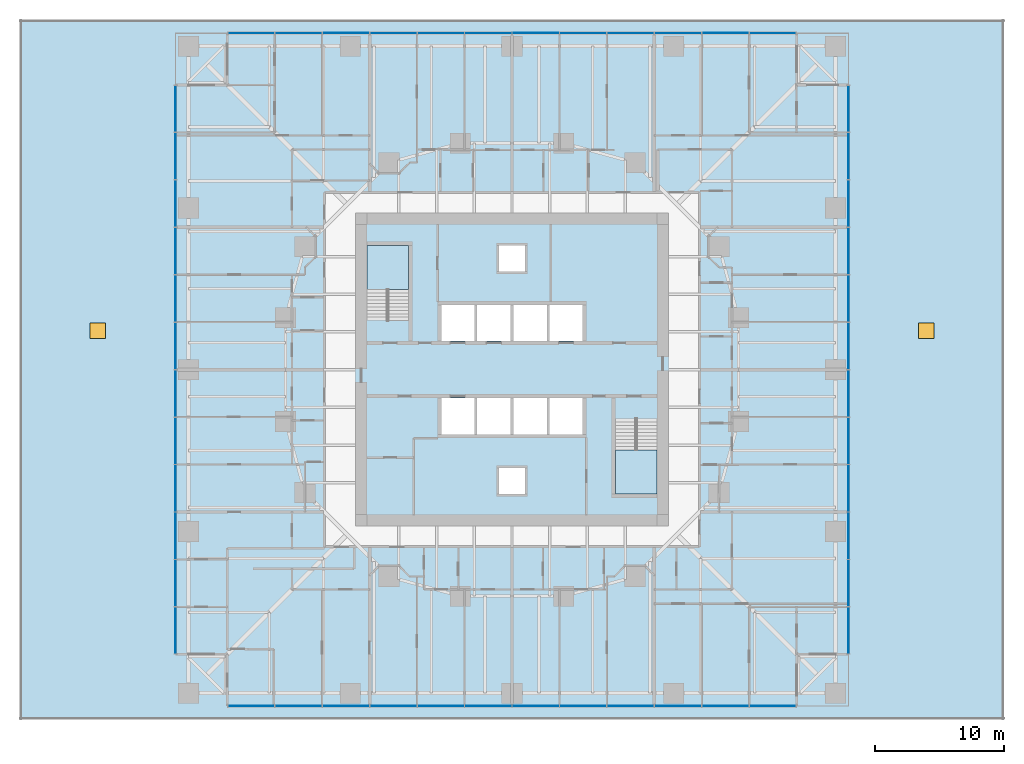
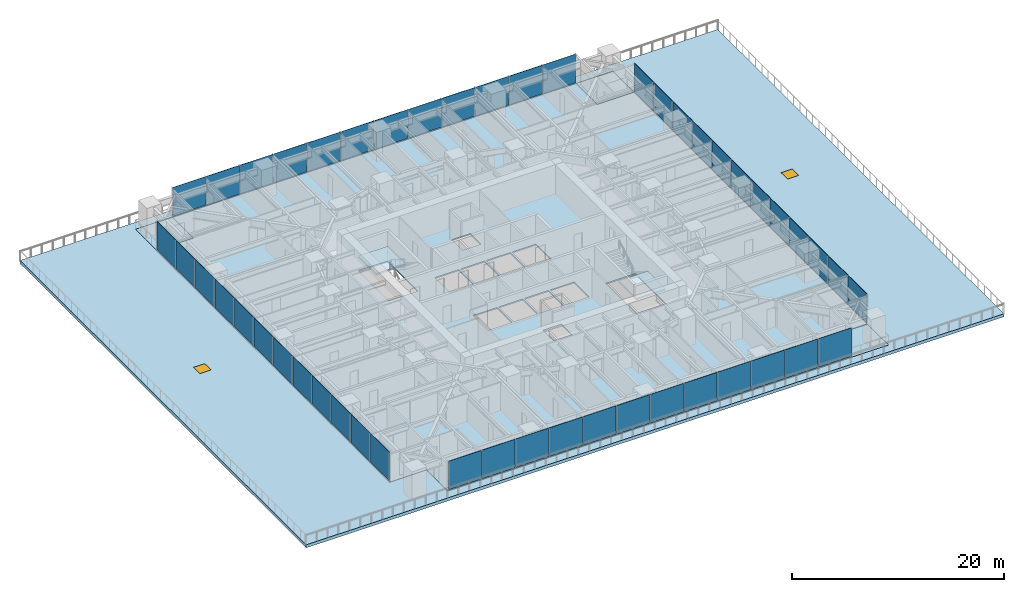
# One storey, part 6 of 15: 48 plates, 7 slabs, 2 windows, 2 openings, 6 elements without a shape of their own.
"""IFC4 building model written with IfcOpenShell, lengths in metres."""

from ifc_helpers import new_model, si_unit, direction, frame, origin, origin_2d, place, context, subcontext, project, spatial, polyline, rectangle, outline, extrude, material, layer, layer_set, type_object, element, fill, aggregate, save


model = new_model("IFC4")

# Units and contexts
model_context = context("Model", 3, precision=1e-05, world=origin(), true_north=direction((0.0, 1.0)))
body_context = subcontext(model_context, "Body", "Model", "MODEL_VIEW")
ifc_project = project(units=[si_unit("LENGTHUNIT", "METRE"), si_unit("AREAUNIT", "SQUARE_METRE"), si_unit("VOLUMEUNIT", "CUBIC_METRE"), si_unit("PLANEANGLEUNIT", "RADIAN"), si_unit("MASSUNIT", "GRAM", prefix="KILO")], contexts=[model_context])

# Site, building, storey
site_placement = place(None, origin())
site = spatial("IfcSite", under=ifc_project, at=site_placement, CompositionType="ELEMENT")
building_placement = place(site_placement, origin())
building = spatial("IfcBuilding", under=site, at=building_placement, Name="Torsade Residences", CompositionType="ELEMENT")
storey_placement = place(building_placement, frame((0.0, 0.0, 15.0)))
storey = spatial("IfcBuildingStorey", under=building, at=storey_placement, Name="L03", CompositionType="ELEMENT", Elevation=15.0)

# Slab
ifc_material_1 = material(Name="Concrete 40 MPa", Category="concrete")
ifc_layer_1 = layer(ifc_material_1, 0.14990234375)
ifc_layer_set_1 = layer_set([ifc_layer_1], Name="Concrete 40 MPa")
slab_type_1 = type_object("IfcSlabType", Name="COMPOSITE FLOOR SLAB 150", PredefinedType="FLOOR", material=ifc_layer_set_1)
slab_1_placement = place(storey_placement, frame((0.0, 0.0, -0.14990234375)))
element("IfcSlab", 1, at=slab_1_placement, inside=storey, type_object=slab_type_1, Name="Floor slab L03", PredefinedType="FLOOR", context=body_context, shape_type="SweptSolid", body=[
    extrude(outline(polyline([(18.0, 4.0), (62.0, 4.0), (62.0, 8.0), (66.0, 8.0), (66.0, 52.0), (62.0, 52.0), (62.0, 56.0), (18.0, 56.0), (18.0, 52.0), (14.0, 52.0), (14.0, 8.0), (18.0, 8.0), (18.0, 4.0)]), holes=[polyline([(51.199951171875, 20.39990234375), (51.199951171875, 26.1201171875), (48.0, 26.1201171875), (48.0, 20.39990234375), (51.199951171875, 20.39990234375)]), polyline([(45.5, 27.800048828125), (42.89990234375, 27.800048828125), (42.89990234375, 25.0), (45.5, 25.0), (45.5, 27.800048828125)]), polyline([(45.5, 32.199951171875), (45.5, 35.0), (42.89990234375, 35.0), (42.89990234375, 32.199951171875), (45.5, 32.199951171875)]), polyline([(42.699951171875, 25.0), (42.699951171875, 27.800048828125), (40.10009765625, 27.800048828125), (40.10009765625, 25.0), (42.699951171875, 25.0)]), polyline([(42.699951171875, 32.199951171875), (42.699951171875, 35.0), (40.10009765625, 35.0), (40.10009765625, 32.199951171875), (42.699951171875, 32.199951171875)]), polyline([(41.0, 22.39990234375), (39.0, 22.39990234375), (39.0, 20.39990234375), (41.0, 20.39990234375), (41.0, 22.39990234375)]), polyline([(41.0, 37.60009765625), (41.0, 39.60009765625), (39.0, 39.60009765625), (39.0, 37.60009765625), (41.0, 37.60009765625)]), polyline([(39.89990234375, 25.0), (39.89990234375, 27.800048828125), (37.300048828125, 27.800048828125), (37.300048828125, 25.0), (39.89990234375, 25.0)]), polyline([(39.89990234375, 35.0), (37.300048828125, 35.0), (37.300048828125, 32.199951171875), (39.89990234375, 32.199951171875), (39.89990234375, 35.0)]), polyline([(37.10009765625, 27.800048828125), (34.5, 27.800048828125), (34.5, 25.0), (37.10009765625, 25.0), (37.10009765625, 27.800048828125)]), polyline([(37.10009765625, 32.199951171875), (37.10009765625, 35.0), (34.5, 35.0), (34.5, 32.199951171875), (37.10009765625, 32.199951171875)]), polyline([(32.0, 33.8798828125), (32.0, 39.60009765625), (28.800048828125, 39.60009765625), (28.800048828125, 33.8798828125), (32.0, 33.8798828125)])]), origin(), (0.0, 0.0, 1.0), 0.14990234375),
])

# Curtain wall, plates
ifc_material_2 = material(Name="Aluminium and glass", Category="aluminium")
curtain_wall_type = type_object("IfcCurtainWallType", Name="FRITTED GLASS CURTAIN WALL LOW ZONE", PredefinedType="NOTDEFINED", material=ifc_material_2)
curtain_wall_1_placement = place(storey_placement, origin())
curtain_wall_1 = element("IfcCurtainWall", 2, at=curtain_wall_1_placement, inside=storey, type_object=curtain_wall_type, Name="Curtain wall L03 face 1", PredefinedType="NOTDEFINED")
ifc_material_3 = material(Name="Laminated glass", Category="glass")
ifc_layer_2 = layer(ifc_material_3, 0.031982421875)
ifc_layer_set_2 = layer_set([ifc_layer_2], Name="Laminated glass")
plate_type_1 = type_object("IfcPlateType", Name="FRITTED GLASS PANEL", PredefinedType="CURTAIN_PANEL", material=ifc_layer_set_2)
plate_1_placement = place(storey_placement, frame((19.849609375, 4.0, 0.10009765625), z_axis=(0.0, 0.0, 1.0), x_axis=(1.0, 0.0, 0.0)))
plate_1 = element("IfcPlate", 3, at=plate_1_placement, type_object=plate_type_1, Name="Panel 1", PredefinedType="CURTAIN_PANEL", context=body_context, shape_type="SweptSolid", body=[
    extrude(rectangle(XDim=3.569091796875, YDim=0.031982421875, at=origin_2d()), origin(), (0.0, 0.0, 1.0), 3.300048828125),
])
plate_2_placement = place(storey_placement, frame((27.166748046875, 4.0, 0.10009765625), z_axis=(0.0, 0.0, 1.0), x_axis=(1.0, 0.0, 0.0)))
plate_2 = element("IfcPlate", 4, at=plate_2_placement, type_object=plate_type_1, Name="Panel 3", PredefinedType="CURTAIN_PANEL", context=body_context, shape_type="SweptSolid", body=[
    extrude(rectangle(XDim=3.6015625, YDim=0.031982421875, at=origin_2d()), origin(), (0.0, 0.0, 1.0), 3.300048828125),
])
plate_3_placement = place(storey_placement, frame((30.833251953125, 4.0, 0.10009765625), z_axis=(0.0, 0.0, 1.0), x_axis=(1.0, 0.0, 0.0)))
plate_3 = element("IfcPlate", 5, at=plate_3_placement, type_object=plate_type_1, Name="Panel 4", PredefinedType="CURTAIN_PANEL", context=body_context, shape_type="SweptSolid", body=[
    extrude(rectangle(XDim=3.6015625, YDim=0.031982421875, at=origin_2d()), origin(), (0.0, 0.0, 1.0), 3.300048828125),
])
plate_4_placement = place(storey_placement, frame((34.5, 4.0, 0.10009765625), z_axis=(0.0, 0.0, 1.0), x_axis=(1.0, 0.0, 0.0)))
plate_4 = element("IfcPlate", 6, at=plate_4_placement, type_object=plate_type_1, Name="Panel 5", PredefinedType="CURTAIN_PANEL", context=body_context, shape_type="SweptSolid", body=[
    extrude(rectangle(XDim=3.6015625, YDim=0.031982421875, at=origin_2d()), origin(), (0.0, 0.0, 1.0), 3.300048828125),
])
plate_5_placement = place(storey_placement, frame((41.833251953125, 4.0, 0.10009765625), z_axis=(0.0, 0.0, 1.0), x_axis=(1.0, 0.0, 0.0)))
plate_5 = element("IfcPlate", 7, at=plate_5_placement, type_object=plate_type_1, Name="Panel 7", PredefinedType="CURTAIN_PANEL", context=body_context, shape_type="SweptSolid", body=[
    extrude(rectangle(XDim=3.6015625, YDim=0.031982421875, at=origin_2d()), origin(), (0.0, 0.0, 1.0), 3.300048828125),
])
plate_6_placement = place(storey_placement, frame((45.5, 4.0, 0.10009765625), z_axis=(0.0, 0.0, 1.0), x_axis=(1.0, 0.0, 0.0)))
plate_6 = element("IfcPlate", 8, at=plate_6_placement, type_object=plate_type_1, Name="Panel 8", PredefinedType="CURTAIN_PANEL", context=body_context, shape_type="SweptSolid", body=[
    extrude(rectangle(XDim=3.6015625, YDim=0.031982421875, at=origin_2d()), origin(), (0.0, 0.0, 1.0), 3.300048828125),
])
plate_7_placement = place(storey_placement, frame((49.166748046875, 4.0, 0.10009765625), z_axis=(0.0, 0.0, 1.0), x_axis=(1.0, 0.0, 0.0)))
plate_7 = element("IfcPlate", 9, at=plate_7_placement, type_object=plate_type_1, Name="Panel 9", PredefinedType="CURTAIN_PANEL", context=body_context, shape_type="SweptSolid", body=[
    extrude(rectangle(XDim=3.6015625, YDim=0.031982421875, at=origin_2d()), origin(), (0.0, 0.0, 1.0), 3.300048828125),
])
plate_8_placement = place(storey_placement, frame((56.5, 4.0, 0.10009765625), z_axis=(0.0, 0.0, 1.0), x_axis=(1.0, 0.0, 0.0)))
plate_8 = element("IfcPlate", 10, at=plate_8_placement, type_object=plate_type_1, Name="Panel 11", PredefinedType="CURTAIN_PANEL", context=body_context, shape_type="SweptSolid", body=[
    extrude(rectangle(XDim=3.6015625, YDim=0.031982421875, at=origin_2d()), origin(), (0.0, 0.0, 1.0), 3.300048828125),
])
plate_9_placement = place(storey_placement, frame((60.150390625, 4.0, 0.10009765625), z_axis=(0.0, 0.0, 1.0), x_axis=(1.0, 0.0, 0.0)))
plate_9 = element("IfcPlate", 11, at=plate_9_placement, type_object=plate_type_1, Name="Panel 12", PredefinedType="CURTAIN_PANEL", context=body_context, shape_type="SweptSolid", body=[
    extrude(rectangle(XDim=3.569091796875, YDim=0.031982421875, at=origin_2d()), origin(), (0.0, 0.0, 1.0), 3.300048828125),
])

curtain_wall_2_placement = place(storey_placement, origin())
curtain_wall_2 = element("IfcCurtainWall", 12, at=curtain_wall_2_placement, inside=storey, type_object=curtain_wall_type, Name="Curtain wall L03 face 4", PredefinedType="NOTDEFINED")
plate_10_placement = place(storey_placement, frame((66.0, 9.849609375, 0.10009765625), z_axis=(0.0, 0.0, 1.0), x_axis=(0.0, 1.0, 0.0)))
plate_10 = element("IfcPlate", 13, at=plate_10_placement, type_object=plate_type_1, Name="Panel 1", PredefinedType="CURTAIN_PANEL", context=body_context, shape_type="SweptSolid", body=[
    extrude(rectangle(XDim=3.569091796875, YDim=0.031982421875, at=origin_2d()), origin(), (0.0, 0.0, 1.0), 3.300048828125),
])
plate_11_placement = place(storey_placement, frame((66.0, 17.166748046875, 0.10009765625), z_axis=(0.0, 0.0, 1.0), x_axis=(0.0, 1.0, 0.0)))
plate_11 = element("IfcPlate", 14, at=plate_11_placement, type_object=plate_type_1, Name="Panel 3", PredefinedType="CURTAIN_PANEL", context=body_context, shape_type="SweptSolid", body=[
    extrude(rectangle(XDim=3.6015625, YDim=0.031982421875, at=origin_2d()), origin(), (0.0, 0.0, 1.0), 3.300048828125),
])
plate_12_placement = place(storey_placement, frame((66.0, 20.833251953125, 0.10009765625), z_axis=(0.0, 0.0, 1.0), x_axis=(0.0, 1.0, 0.0)))
plate_12 = element("IfcPlate", 15, at=plate_12_placement, type_object=plate_type_1, Name="Panel 4", PredefinedType="CURTAIN_PANEL", context=body_context, shape_type="SweptSolid", body=[
    extrude(rectangle(XDim=3.6015625, YDim=0.031982421875, at=origin_2d()), origin(), (0.0, 0.0, 1.0), 3.300048828125),
])
plate_13_placement = place(storey_placement, frame((66.0, 24.5, 0.10009765625), z_axis=(0.0, 0.0, 1.0), x_axis=(0.0, 1.0, 0.0)))
plate_13 = element("IfcPlate", 16, at=plate_13_placement, type_object=plate_type_1, Name="Panel 5", PredefinedType="CURTAIN_PANEL", context=body_context, shape_type="SweptSolid", body=[
    extrude(rectangle(XDim=3.6015625, YDim=0.031982421875, at=origin_2d()), origin(), (0.0, 0.0, 1.0), 3.300048828125),
])
plate_14_placement = place(storey_placement, frame((66.0, 31.833251953125, 0.10009765625), z_axis=(0.0, 0.0, 1.0), x_axis=(0.0, 1.0, 0.0)))
plate_14 = element("IfcPlate", 17, at=plate_14_placement, type_object=plate_type_1, Name="Panel 7", PredefinedType="CURTAIN_PANEL", context=body_context, shape_type="SweptSolid", body=[
    extrude(rectangle(XDim=3.6015625, YDim=0.031982421875, at=origin_2d()), origin(), (0.0, 0.0, 1.0), 3.300048828125),
])
plate_15_placement = place(storey_placement, frame((66.0, 35.5, 0.10009765625), z_axis=(0.0, 0.0, 1.0), x_axis=(0.0, 1.0, 0.0)))
plate_15 = element("IfcPlate", 18, at=plate_15_placement, type_object=plate_type_1, Name="Panel 8", PredefinedType="CURTAIN_PANEL", context=body_context, shape_type="SweptSolid", body=[
    extrude(rectangle(XDim=3.6015625, YDim=0.031982421875, at=origin_2d()), origin(), (0.0, 0.0, 1.0), 3.300048828125),
])
plate_16_placement = place(storey_placement, frame((66.0, 39.166748046875, 0.10009765625), z_axis=(0.0, 0.0, 1.0), x_axis=(0.0, 1.0, 0.0)))
plate_16 = element("IfcPlate", 19, at=plate_16_placement, type_object=plate_type_1, Name="Panel 9", PredefinedType="CURTAIN_PANEL", context=body_context, shape_type="SweptSolid", body=[
    extrude(rectangle(XDim=3.6015625, YDim=0.031982421875, at=origin_2d()), origin(), (0.0, 0.0, 1.0), 3.300048828125),
])
plate_17_placement = place(storey_placement, frame((66.0, 46.5, 0.10009765625), z_axis=(0.0, 0.0, 1.0), x_axis=(0.0, 1.0, 0.0)))
plate_17 = element("IfcPlate", 20, at=plate_17_placement, type_object=plate_type_1, Name="Panel 11", PredefinedType="CURTAIN_PANEL", context=body_context, shape_type="SweptSolid", body=[
    extrude(rectangle(XDim=3.6015625, YDim=0.031982421875, at=origin_2d()), origin(), (0.0, 0.0, 1.0), 3.300048828125),
])
plate_18_placement = place(storey_placement, frame((66.0, 50.150390625, 0.10009765625), z_axis=(0.0, 0.0, 1.0), x_axis=(0.0, 1.0, 0.0)))
plate_18 = element("IfcPlate", 21, at=plate_18_placement, type_object=plate_type_1, Name="Panel 12", PredefinedType="CURTAIN_PANEL", context=body_context, shape_type="SweptSolid", body=[
    extrude(rectangle(XDim=3.569091796875, YDim=0.031982421875, at=origin_2d()), origin(), (0.0, 0.0, 1.0), 3.300048828125),
])

curtain_wall_3_placement = place(storey_placement, origin())
curtain_wall_3 = element("IfcCurtainWall", 22, at=curtain_wall_3_placement, inside=storey, type_object=curtain_wall_type, Name="Curtain wall L03 face 7", PredefinedType="NOTDEFINED")
plate_19_placement = place(storey_placement, frame((60.150390625, 56.0, 0.10009765625), z_axis=(0.0, 0.0, 1.0), x_axis=(-1.0, 0.0, 0.0)))
plate_19 = element("IfcPlate", 23, at=plate_19_placement, type_object=plate_type_1, Name="Panel 1", PredefinedType="CURTAIN_PANEL", context=body_context, shape_type="SweptSolid", body=[
    extrude(rectangle(XDim=3.569091796875, YDim=0.031982421875, at=origin_2d()), origin(), (0.0, 0.0, 1.0), 3.300048828125),
])
plate_20_placement = place(storey_placement, frame((52.833251953125, 56.0, 0.10009765625), z_axis=(0.0, 0.0, 1.0), x_axis=(-1.0, 0.0, 0.0)))
plate_20 = element("IfcPlate", 24, at=plate_20_placement, type_object=plate_type_1, Name="Panel 3", PredefinedType="CURTAIN_PANEL", context=body_context, shape_type="SweptSolid", body=[
    extrude(rectangle(XDim=3.6015625, YDim=0.031982421875, at=origin_2d()), origin(), (0.0, 0.0, 1.0), 3.300048828125),
])
plate_21_placement = place(storey_placement, frame((49.166748046875, 56.0, 0.10009765625), z_axis=(0.0, 0.0, 1.0), x_axis=(-1.0, 0.0, 0.0)))
plate_21 = element("IfcPlate", 25, at=plate_21_placement, type_object=plate_type_1, Name="Panel 4", PredefinedType="CURTAIN_PANEL", context=body_context, shape_type="SweptSolid", body=[
    extrude(rectangle(XDim=3.6015625, YDim=0.031982421875, at=origin_2d()), origin(), (0.0, 0.0, 1.0), 3.300048828125),
])
plate_22_placement = place(storey_placement, frame((45.5, 56.0, 0.10009765625), z_axis=(0.0, 0.0, 1.0), x_axis=(-1.0, 0.0, 0.0)))
plate_22 = element("IfcPlate", 26, at=plate_22_placement, type_object=plate_type_1, Name="Panel 5", PredefinedType="CURTAIN_PANEL", context=body_context, shape_type="SweptSolid", body=[
    extrude(rectangle(XDim=3.6015625, YDim=0.031982421875, at=origin_2d()), origin(), (0.0, 0.0, 1.0), 3.300048828125),
])
plate_23_placement = place(storey_placement, frame((38.166748046875, 56.0, 0.10009765625), z_axis=(0.0, 0.0, 1.0), x_axis=(-1.0, 0.0, 0.0)))
plate_23 = element("IfcPlate", 27, at=plate_23_placement, type_object=plate_type_1, Name="Panel 7", PredefinedType="CURTAIN_PANEL", context=body_context, shape_type="SweptSolid", body=[
    extrude(rectangle(XDim=3.6015625, YDim=0.031982421875, at=origin_2d()), origin(), (0.0, 0.0, 1.0), 3.300048828125),
])
plate_24_placement = place(storey_placement, frame((34.5, 56.0, 0.10009765625), z_axis=(0.0, 0.0, 1.0), x_axis=(-1.0, 0.0, 0.0)))
plate_24 = element("IfcPlate", 28, at=plate_24_placement, type_object=plate_type_1, Name="Panel 8", PredefinedType="CURTAIN_PANEL", context=body_context, shape_type="SweptSolid", body=[
    extrude(rectangle(XDim=3.6015625, YDim=0.031982421875, at=origin_2d()), origin(), (0.0, 0.0, 1.0), 3.300048828125),
])
plate_25_placement = place(storey_placement, frame((30.833251953125, 56.0, 0.10009765625), z_axis=(0.0, 0.0, 1.0), x_axis=(-1.0, 0.0, 0.0)))
plate_25 = element("IfcPlate", 29, at=plate_25_placement, type_object=plate_type_1, Name="Panel 9", PredefinedType="CURTAIN_PANEL", context=body_context, shape_type="SweptSolid", body=[
    extrude(rectangle(XDim=3.6015625, YDim=0.031982421875, at=origin_2d()), origin(), (0.0, 0.0, 1.0), 3.300048828125),
])
plate_26_placement = place(storey_placement, frame((23.5, 56.0, 0.10009765625), z_axis=(0.0, 0.0, 1.0), x_axis=(-1.0, 0.0, 0.0)))
plate_26 = element("IfcPlate", 30, at=plate_26_placement, type_object=plate_type_1, Name="Panel 11", PredefinedType="CURTAIN_PANEL", context=body_context, shape_type="SweptSolid", body=[
    extrude(rectangle(XDim=3.6015625, YDim=0.031982421875, at=origin_2d()), origin(), (0.0, 0.0, 1.0), 3.300048828125),
])
plate_27_placement = place(storey_placement, frame((19.849609375, 56.0, 0.10009765625), z_axis=(0.0, 0.0, 1.0), x_axis=(-1.0, 0.0, 0.0)))
plate_27 = element("IfcPlate", 31, at=plate_27_placement, type_object=plate_type_1, Name="Panel 12", PredefinedType="CURTAIN_PANEL", context=body_context, shape_type="SweptSolid", body=[
    extrude(rectangle(XDim=3.569091796875, YDim=0.031982421875, at=origin_2d()), origin(), (0.0, 0.0, 1.0), 3.300048828125),
])

curtain_wall_4_placement = place(storey_placement, origin())
curtain_wall_4 = element("IfcCurtainWall", 32, at=curtain_wall_4_placement, inside=storey, type_object=curtain_wall_type, Name="Curtain wall L03 face 10", PredefinedType="NOTDEFINED")
plate_28_placement = place(storey_placement, frame((14.0, 50.150390625, 0.10009765625), z_axis=(0.0, 0.0, 1.0), x_axis=(0.0, -1.0, 0.0)))
plate_28 = element("IfcPlate", 33, at=plate_28_placement, type_object=plate_type_1, Name="Panel 1", PredefinedType="CURTAIN_PANEL", context=body_context, shape_type="SweptSolid", body=[
    extrude(rectangle(XDim=3.569091796875, YDim=0.031982421875, at=origin_2d()), origin(), (0.0, 0.0, 1.0), 3.300048828125),
])
plate_29_placement = place(storey_placement, frame((14.0, 42.833251953125, 0.10009765625), z_axis=(0.0, 0.0, 1.0), x_axis=(0.0, -1.0, 0.0)))
plate_29 = element("IfcPlate", 34, at=plate_29_placement, type_object=plate_type_1, Name="Panel 3", PredefinedType="CURTAIN_PANEL", context=body_context, shape_type="SweptSolid", body=[
    extrude(rectangle(XDim=3.6015625, YDim=0.031982421875, at=origin_2d()), origin(), (0.0, 0.0, 1.0), 3.300048828125),
])
plate_30_placement = place(storey_placement, frame((14.0, 39.166748046875, 0.10009765625), z_axis=(0.0, 0.0, 1.0), x_axis=(0.0, -1.0, 0.0)))
plate_30 = element("IfcPlate", 35, at=plate_30_placement, type_object=plate_type_1, Name="Panel 4", PredefinedType="CURTAIN_PANEL", context=body_context, shape_type="SweptSolid", body=[
    extrude(rectangle(XDim=3.6015625, YDim=0.031982421875, at=origin_2d()), origin(), (0.0, 0.0, 1.0), 3.300048828125),
])
plate_31_placement = place(storey_placement, frame((14.0, 35.5, 0.10009765625), z_axis=(0.0, 0.0, 1.0), x_axis=(0.0, -1.0, 0.0)))
plate_31 = element("IfcPlate", 36, at=plate_31_placement, type_object=plate_type_1, Name="Panel 5", PredefinedType="CURTAIN_PANEL", context=body_context, shape_type="SweptSolid", body=[
    extrude(rectangle(XDim=3.6015625, YDim=0.031982421875, at=origin_2d()), origin(), (0.0, 0.0, 1.0), 3.300048828125),
])
plate_32_placement = place(storey_placement, frame((14.0, 28.166748046875, 0.10009765625), z_axis=(0.0, 0.0, 1.0), x_axis=(0.0, -1.0, 0.0)))
plate_32 = element("IfcPlate", 37, at=plate_32_placement, type_object=plate_type_1, Name="Panel 7", PredefinedType="CURTAIN_PANEL", context=body_context, shape_type="SweptSolid", body=[
    extrude(rectangle(XDim=3.6015625, YDim=0.031982421875, at=origin_2d()), origin(), (0.0, 0.0, 1.0), 3.300048828125),
])
plate_33_placement = place(storey_placement, frame((14.0, 24.5, 0.10009765625), z_axis=(0.0, 0.0, 1.0), x_axis=(0.0, -1.0, 0.0)))
plate_33 = element("IfcPlate", 38, at=plate_33_placement, type_object=plate_type_1, Name="Panel 8", PredefinedType="CURTAIN_PANEL", context=body_context, shape_type="SweptSolid", body=[
    extrude(rectangle(XDim=3.6015625, YDim=0.031982421875, at=origin_2d()), origin(), (0.0, 0.0, 1.0), 3.300048828125),
])
plate_34_placement = place(storey_placement, frame((14.0, 20.833251953125, 0.10009765625), z_axis=(0.0, 0.0, 1.0), x_axis=(0.0, -1.0, 0.0)))
plate_34 = element("IfcPlate", 39, at=plate_34_placement, type_object=plate_type_1, Name="Panel 9", PredefinedType="CURTAIN_PANEL", context=body_context, shape_type="SweptSolid", body=[
    extrude(rectangle(XDim=3.6015625, YDim=0.031982421875, at=origin_2d()), origin(), (0.0, 0.0, 1.0), 3.300048828125),
])
plate_35_placement = place(storey_placement, frame((14.0, 13.5, 0.10009765625), z_axis=(0.0, 0.0, 1.0), x_axis=(0.0, -1.0, 0.0)))
plate_35 = element("IfcPlate", 40, at=plate_35_placement, type_object=plate_type_1, Name="Panel 11", PredefinedType="CURTAIN_PANEL", context=body_context, shape_type="SweptSolid", body=[
    extrude(rectangle(XDim=3.6015625, YDim=0.031982421875, at=origin_2d()), origin(), (0.0, 0.0, 1.0), 3.300048828125),
])
plate_36_placement = place(storey_placement, frame((14.0, 9.849609375, 0.10009765625), z_axis=(0.0, 0.0, 1.0), x_axis=(0.0, -1.0, 0.0)))
plate_36 = element("IfcPlate", 41, at=plate_36_placement, type_object=plate_type_1, Name="Panel 12", PredefinedType="CURTAIN_PANEL", context=body_context, shape_type="SweptSolid", body=[
    extrude(rectangle(XDim=3.569091796875, YDim=0.031982421875, at=origin_2d()), origin(), (0.0, 0.0, 1.0), 3.300048828125),
])

# Plate
ifc_material_4 = material(Name="Laminated glass", Category="glass")
ifc_layer_3 = layer(ifc_material_4, 0.0400390625)
ifc_layer_set_3 = layer_set([ifc_layer_3], Name="Laminated glass")
plate_type_2 = type_object("IfcPlateType", Name="OPERABLE VENT PANEL", PredefinedType="CURTAIN_PANEL", material=ifc_layer_set_3)
plate_37_placement = place(storey_placement, frame((23.5, 4.0, 0.10009765625), z_axis=(0.0, 0.0, 1.0), x_axis=(1.0, 0.0, 0.0)))
plate_37 = element("IfcPlate", 42, at=plate_37_placement, type_object=plate_type_2, Name="Panel 2", PredefinedType="CURTAIN_PANEL", context=body_context, shape_type="SweptSolid", body=[
    extrude(rectangle(XDim=3.6015625, YDim=0.0400390625, at=origin_2d()), origin(), (0.0, 0.0, 1.0), 3.300048828125),
])

plate_38_placement = place(storey_placement, frame((38.166748046875, 4.0, 0.10009765625), z_axis=(0.0, 0.0, 1.0), x_axis=(1.0, 0.0, 0.0)))
plate_38 = element("IfcPlate", 43, at=plate_38_placement, type_object=plate_type_2, Name="Panel 6", PredefinedType="CURTAIN_PANEL", context=body_context, shape_type="SweptSolid", body=[
    extrude(rectangle(XDim=3.6015625, YDim=0.0400390625, at=origin_2d()), origin(), (0.0, 0.0, 1.0), 3.300048828125),
])

plate_39_placement = place(storey_placement, frame((52.833251953125, 4.0, 0.10009765625), z_axis=(0.0, 0.0, 1.0), x_axis=(1.0, 0.0, 0.0)))
plate_39 = element("IfcPlate", 44, at=plate_39_placement, type_object=plate_type_2, Name="Panel 10", PredefinedType="CURTAIN_PANEL", context=body_context, shape_type="SweptSolid", body=[
    extrude(rectangle(XDim=3.6015625, YDim=0.0400390625, at=origin_2d()), origin(), (0.0, 0.0, 1.0), 3.300048828125),
])

aggregate(curtain_wall_1, [plate_1, plate_37, plate_2, plate_3, plate_4, plate_38, plate_5, plate_6, plate_7, plate_39, plate_8, plate_9])

plate_40_placement = place(storey_placement, frame((66.0, 13.5, 0.10009765625), z_axis=(0.0, 0.0, 1.0), x_axis=(0.0, 1.0, 0.0)))
plate_40 = element("IfcPlate", 45, at=plate_40_placement, type_object=plate_type_2, Name="Panel 2", PredefinedType="CURTAIN_PANEL", context=body_context, shape_type="SweptSolid", body=[
    extrude(rectangle(XDim=3.6015625, YDim=0.0400390625, at=origin_2d()), origin(), (0.0, 0.0, 1.0), 3.300048828125),
])

plate_41_placement = place(storey_placement, frame((66.0, 28.166748046875, 0.10009765625), z_axis=(0.0, 0.0, 1.0), x_axis=(0.0, 1.0, 0.0)))
plate_41 = element("IfcPlate", 46, at=plate_41_placement, type_object=plate_type_2, Name="Panel 6", PredefinedType="CURTAIN_PANEL", context=body_context, shape_type="SweptSolid", body=[
    extrude(rectangle(XDim=3.6015625, YDim=0.0400390625, at=origin_2d()), origin(), (0.0, 0.0, 1.0), 3.300048828125),
])

plate_42_placement = place(storey_placement, frame((66.0, 42.833251953125, 0.10009765625), z_axis=(0.0, 0.0, 1.0), x_axis=(0.0, 1.0, 0.0)))
plate_42 = element("IfcPlate", 47, at=plate_42_placement, type_object=plate_type_2, Name="Panel 10", PredefinedType="CURTAIN_PANEL", context=body_context, shape_type="SweptSolid", body=[
    extrude(rectangle(XDim=3.6015625, YDim=0.0400390625, at=origin_2d()), origin(), (0.0, 0.0, 1.0), 3.300048828125),
])

aggregate(curtain_wall_2, [plate_10, plate_40, plate_11, plate_12, plate_13, plate_41, plate_14, plate_15, plate_16, plate_42, plate_17, plate_18])

plate_43_placement = place(storey_placement, frame((56.5, 56.0, 0.10009765625), z_axis=(0.0, 0.0, 1.0), x_axis=(-1.0, 0.0, 0.0)))
plate_43 = element("IfcPlate", 48, at=plate_43_placement, type_object=plate_type_2, Name="Panel 2", PredefinedType="CURTAIN_PANEL", context=body_context, shape_type="SweptSolid", body=[
    extrude(rectangle(XDim=3.6015625, YDim=0.0400390625, at=origin_2d()), origin(), (0.0, 0.0, 1.0), 3.300048828125),
])

plate_44_placement = place(storey_placement, frame((41.833251953125, 56.0, 0.10009765625), z_axis=(0.0, 0.0, 1.0), x_axis=(-1.0, 0.0, 0.0)))
plate_44 = element("IfcPlate", 49, at=plate_44_placement, type_object=plate_type_2, Name="Panel 6", PredefinedType="CURTAIN_PANEL", context=body_context, shape_type="SweptSolid", body=[
    extrude(rectangle(XDim=3.6015625, YDim=0.0400390625, at=origin_2d()), origin(), (0.0, 0.0, 1.0), 3.300048828125),
])

plate_45_placement = place(storey_placement, frame((27.166748046875, 56.0, 0.10009765625), z_axis=(0.0, 0.0, 1.0), x_axis=(-1.0, 0.0, 0.0)))
plate_45 = element("IfcPlate", 50, at=plate_45_placement, type_object=plate_type_2, Name="Panel 10", PredefinedType="CURTAIN_PANEL", context=body_context, shape_type="SweptSolid", body=[
    extrude(rectangle(XDim=3.6015625, YDim=0.0400390625, at=origin_2d()), origin(), (0.0, 0.0, 1.0), 3.300048828125),
])

aggregate(curtain_wall_3, [plate_19, plate_43, plate_20, plate_21, plate_22, plate_44, plate_23, plate_24, plate_25, plate_45, plate_26, plate_27])

plate_46_placement = place(storey_placement, frame((14.0, 46.5, 0.10009765625), z_axis=(0.0, 0.0, 1.0), x_axis=(0.0, -1.0, 0.0)))
plate_46 = element("IfcPlate", 51, at=plate_46_placement, type_object=plate_type_2, Name="Panel 2", PredefinedType="CURTAIN_PANEL", context=body_context, shape_type="SweptSolid", body=[
    extrude(rectangle(XDim=3.6015625, YDim=0.0400390625, at=origin_2d()), origin(), (0.0, 0.0, 1.0), 3.300048828125),
])

plate_47_placement = place(storey_placement, frame((14.0, 31.833251953125, 0.10009765625), z_axis=(0.0, 0.0, 1.0), x_axis=(0.0, -1.0, 0.0)))
plate_47 = element("IfcPlate", 52, at=plate_47_placement, type_object=plate_type_2, Name="Panel 6", PredefinedType="CURTAIN_PANEL", context=body_context, shape_type="SweptSolid", body=[
    extrude(rectangle(XDim=3.6015625, YDim=0.0400390625, at=origin_2d()), origin(), (0.0, 0.0, 1.0), 3.300048828125),
])

plate_48_placement = place(storey_placement, frame((14.0, 17.166748046875, 0.10009765625), z_axis=(0.0, 0.0, 1.0), x_axis=(0.0, -1.0, 0.0)))
plate_48 = element("IfcPlate", 53, at=plate_48_placement, type_object=plate_type_2, Name="Panel 10", PredefinedType="CURTAIN_PANEL", context=body_context, shape_type="SweptSolid", body=[
    extrude(rectangle(XDim=3.6015625, YDim=0.0400390625, at=origin_2d()), origin(), (0.0, 0.0, 1.0), 3.300048828125),
])

aggregate(curtain_wall_4, [plate_28, plate_46, plate_29, plate_30, plate_31, plate_47, plate_32, plate_33, plate_34, plate_48, plate_35, plate_36])

# Slab, openings, windows
ifc_material_5 = material(Name="Concrete 40 MPa", Category="concrete")
ifc_layer_4 = layer(ifc_material_5, 0.35009765625)
ifc_layer_set_4 = layer_set([ifc_layer_4], Name="Concrete 40 MPa")
slab_type_2 = type_object("IfcSlabType", Name="PODIUM GREEN ROOF SLAB 350", PredefinedType="ROOF", material=ifc_layer_set_4)
slab_2_placement = place(storey_placement, frame((0.0, 0.0, -0.35009765625)))
slab_2 = element("IfcSlab", 54, at=slab_2_placement, inside=storey, type_object=slab_type_2, Name="Podium green roof slab", PredefinedType="ROOF", context=body_context, shape_type="SweptSolid", body=[
    extrude(outline(polyline([(78.0, 57.0), (2.0, 57.0), (2.0, 3.0), (78.0, 3.0), (78.0, 57.0)]), holes=[polyline([(14.0, 8.0), (18.0, 8.0), (18.0, 4.0), (66.0, 4.0), (66.0, 56.0), (14.0, 56.0), (14.0, 8.0)])]), origin(), (0.0, 0.0, 1.0), 0.35009765625),
])
opening_1_placement = place(slab_2_placement, frame((8.0, 33.0, 0.0)))
opening_1 = element("IfcOpeningElement", 55, at=opening_1_placement, cuts=slab_2, Name="Opening RH1", PredefinedType="OPENING", context=body_context, shape_type="SweptSolid", body=[
    extrude(rectangle(XDim=1.199951171875, YDim=1.199951171875, at=origin_2d()), origin(), (0.0, 0.0, 1.0), 0.35009765625),
])
opening_2_placement = place(slab_2_placement, frame((72.0, 33.0, 0.0)))
opening_2 = element("IfcOpeningElement", 56, at=opening_2_placement, cuts=slab_2, Name="Opening RH1", PredefinedType="OPENING", context=body_context, shape_type="SweptSolid", body=[
    extrude(rectangle(XDim=1.199951171875, YDim=1.199951171875, at=origin_2d()), origin(), (0.0, 0.0, 1.0), 0.35009765625),
])
ifc_material_6 = material(Name="Aluminium hatch", Category="aluminium")
window_type = type_object("IfcWindowType", Name="ROOF ACCESS HATCH 1200", PartitioningType="SINGLE_PANEL", PredefinedType="SKYLIGHT", material=ifc_material_6)
window_1_placement = place(opening_1_placement, frame((0.0, 0.0, 0.300048828125)))
window_1 = element("IfcWindow", 57, at=window_1_placement, inside=storey, type_object=window_type, Name="Podium roof access hatch 1", OverallHeight=1.199951171875, OverallWidth=1.199951171875, PartitioningType="SINGLE_PANEL", PredefinedType="SKYLIGHT", context=body_context, shape_type="SweptSolid", body=[
    extrude(rectangle(XDim=1.199951171875, YDim=1.199951171875, at=origin_2d()), origin(), (0.0, 0.0, 1.0), 0.050048828125),
])
fill(opening_1, window_1)
window_2_placement = place(opening_2_placement, frame((0.0, 0.0, 0.300048828125)))
window_2 = element("IfcWindow", 58, at=window_2_placement, inside=storey, type_object=window_type, Name="Podium roof access hatch 2", OverallHeight=1.199951171875, OverallWidth=1.199951171875, PartitioningType="SINGLE_PANEL", PredefinedType="SKYLIGHT", context=body_context, shape_type="SweptSolid", body=[
    extrude(rectangle(XDim=1.199951171875, YDim=1.199951171875, at=origin_2d()), origin(), (0.0, 0.0, 1.0), 0.050048828125),
])
fill(opening_2, window_2)

# Stair, slab
ifc_material_7 = material(Name="Precast concrete 40 MPa", Category="concrete")
stair_type = type_object("IfcStairType", Name="HALF-TURN FIRE STAIR 1500x3400", PredefinedType="HALF_TURN_STAIR", material=ifc_material_7)
stair_1_placement = place(storey_placement, origin())
stair_1 = element("IfcStair", 59, at=stair_1_placement, inside=storey, type_object=stair_type, Name="Stair ST1 L03", PredefinedType="HALF_TURN_STAIR")
ifc_material_8 = material(Name="Precast concrete 40 MPa", Category="concrete")
ifc_layer_5 = layer(ifc_material_8, 0.179931640625)
ifc_layer_set_5 = layer_set([ifc_layer_5], Name="Precast concrete 40 MPa")
slab_type_3 = type_object("IfcSlabType", Name="PRECAST STAIR LANDING 180", PredefinedType="LANDING", material=ifc_layer_set_5)
slab_3_placement = place(storey_placement, frame((0.0, 0.0, 1.52001953125)))
slab_3 = element("IfcSlab", 60, at=slab_3_placement, type_object=slab_type_3, Name="ST1 landing 1", PredefinedType="LANDING", context=body_context, shape_type="SweptSolid", body=[
    extrude(outline(polyline([(28.800048828125, 36.2099609375), (32.0, 36.2099609375), (32.0, 39.60009765625), (28.800048828125, 39.60009765625), (28.800048828125, 36.2099609375)])), origin(), (0.0, 0.0, 1.0), 0.179931640625),
])
aggregate(stair_1, [slab_3])

stair_2_placement = place(storey_placement, origin())
stair_2 = element("IfcStair", 61, at=stair_2_placement, inside=storey, type_object=stair_type, Name="Stair ST2 L03", PredefinedType="HALF_TURN_STAIR")
slab_4_placement = place(storey_placement, frame((0.0, 0.0, 1.52001953125)))
slab_4 = element("IfcSlab", 62, at=slab_4_placement, type_object=slab_type_3, Name="ST2 landing 1", PredefinedType="LANDING", context=body_context, shape_type="SweptSolid", body=[
    extrude(outline(polyline([(48.0, 20.39990234375), (51.199951171875, 20.39990234375), (51.199951171875, 23.7900390625), (48.0, 23.7900390625), (48.0, 20.39990234375)])), origin(), (0.0, 0.0, 1.0), 0.179931640625),
])
aggregate(stair_2, [slab_4])

# Slabs
ifc_material_9 = material(Name="Concrete 40 MPa", Category="concrete")
ifc_layer_6 = layer(ifc_material_9, 0.14990234375)
ifc_layer_set_6 = layer_set([ifc_layer_6], Name="Concrete 40 MPa")
slab_type_4 = type_object("IfcSlabType", Name="TERRACE SLAB 150", PredefinedType="FLOOR", material=ifc_layer_set_6)
slab_5_placement = place(storey_placement, frame((0.0, 0.0, -0.14990234375)))
element("IfcSlab", 63, at=slab_5_placement, inside=storey, type_object=slab_type_4, Name="Corner terrace slab SE L03", PredefinedType="FLOOR", context=body_context, shape_type="SweptSolid", body=[
    extrude(outline(polyline([(62.0, 4.0), (66.0, 4.0), (66.0, 8.0), (62.0, 8.0), (62.0, 4.0)])), origin(), (0.0, 0.0, 1.0), 0.14990234375),
])
slab_6_placement = place(storey_placement, frame((0.0, 0.0, -0.14990234375)))
element("IfcSlab", 64, at=slab_6_placement, inside=storey, type_object=slab_type_4, Name="Corner terrace slab NE L03", PredefinedType="FLOOR", context=body_context, shape_type="SweptSolid", body=[
    extrude(outline(polyline([(62.0, 52.0), (66.0, 52.0), (66.0, 56.0), (62.0, 56.0), (62.0, 52.0)])), origin(), (0.0, 0.0, 1.0), 0.14990234375),
])
slab_7_placement = place(storey_placement, frame((0.0, 0.0, -0.14990234375)))
element("IfcSlab", 65, at=slab_7_placement, inside=storey, type_object=slab_type_4, Name="Corner terrace slab NW L03", PredefinedType="FLOOR", context=body_context, shape_type="SweptSolid", body=[
    extrude(outline(polyline([(14.0, 52.0), (18.0, 52.0), (18.0, 56.0), (14.0, 56.0), (14.0, 52.0)])), origin(), (0.0, 0.0, 1.0), 0.14990234375),
])

save(model, "model.ifc")
